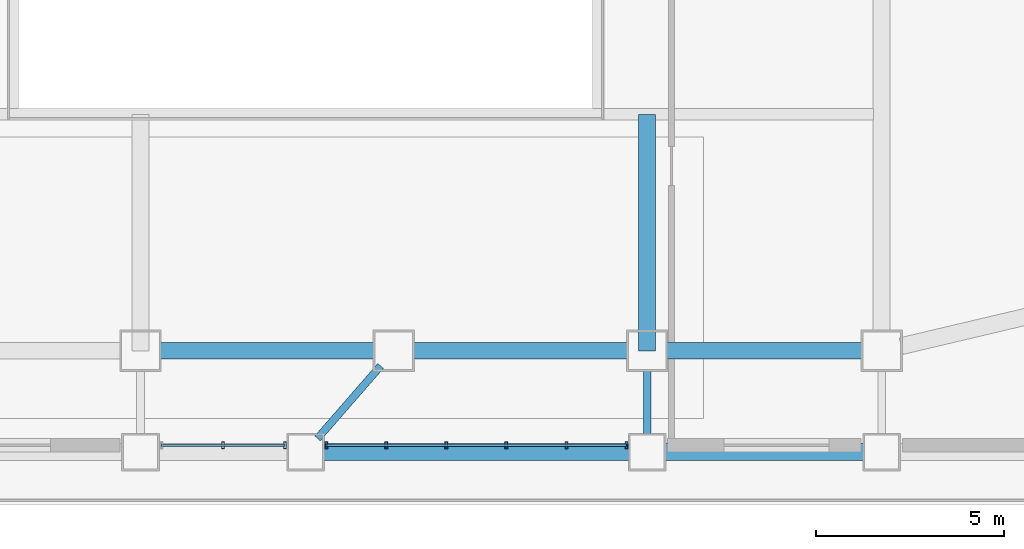
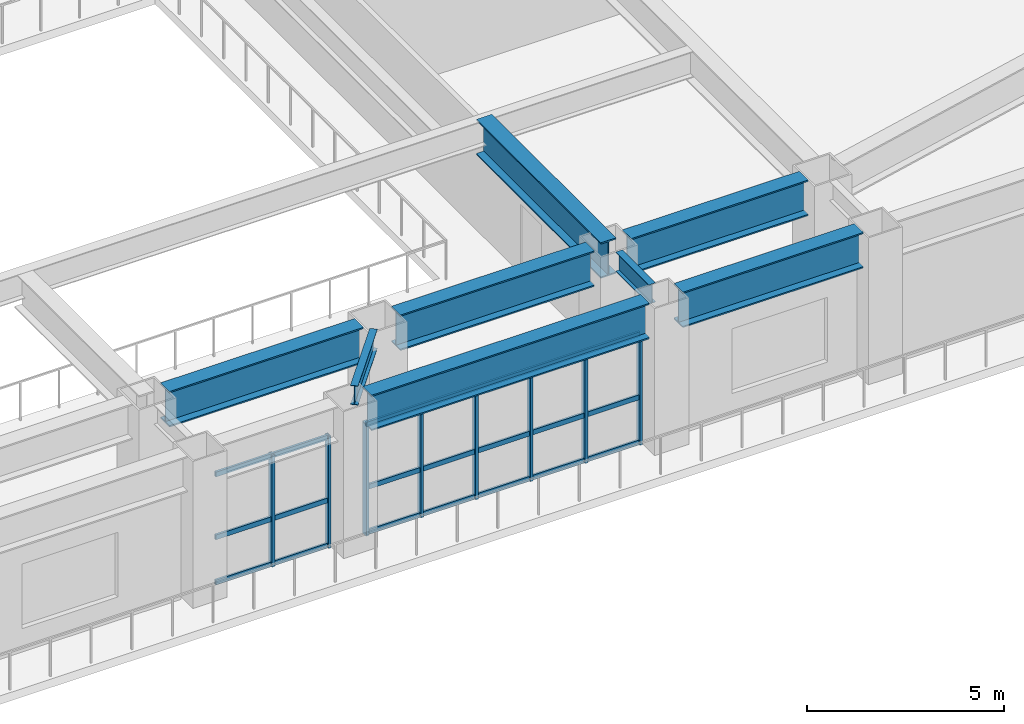
# One storey, part 4 of 14: 14 members, 8 beams, 2 elements without a shape of their own.
"""IFC4 building model written with IfcOpenShell, lengths in metres."""

import ifcopenshell
import ifcopenshell.guid

model = None  # the IFC model being written
_history = None  # IfcOwnerHistory: only IFC2X3 demands one
_inside = {}  # id of a spatial element -> (the spatial element, [elements in it])
_under = {}  # id of a project, library or spatial element -> (it, [spatial elements below it])
_declared = {}  # id of a project -> (the project, [libraries it declares])
_typed = {}  # id of a type object -> (the type object, [elements of that type])
_made_of = {}  # id of a material, layer set ... -> (it, [elements and type objects made of it])


def new_model(schema):
    """Start an empty IFC model of exactly this schema.

    Asked for "IFC4X3", IfcOpenShell would pick the latest addendum, in which some entities
    have other attributes; the version numbers below select the first issue.
    IFC2X3 requires an IfcOwnerHistory on every rooted entity: one is made here for all.
    """
    global model, _history
    if schema == "IFC4X3":
        model = ifcopenshell.file(schema_version=(4, 3, 0, 0))
    else:
        model = ifcopenshell.file(schema=schema)
    _inside.clear()
    _under.clear()
    _declared.clear()
    _typed.clear()
    _made_of.clear()
    _history = None
    if model.schema == "IFC2X3":
        org = make("IfcOrganization", Name="unknown")
        user = make(
            "IfcPersonAndOrganization",
            ThePerson=make("IfcPerson", FamilyName="unknown"),
            TheOrganization=org,
        )
        app = make(
            "IfcApplication",
            ApplicationDeveloper=org,
            Version="unknown",
            ApplicationFullName="unknown",
            ApplicationIdentifier="unknown",
        )
        _history = make(
            "IfcOwnerHistory",
            OwningUser=user,
            OwningApplication=app,
            ChangeAction="ADDED",
            CreationDate=0,
        )
    return model


def make(cls, **values):
    """One entity of the class cls with the attributes given. An attribute that is None is left unset."""
    return model.create_entity(
        cls, **{name: value for name, value in values.items() if value is not None}
    )


def rooted(cls, **values):
    """An entity with a GlobalId (a new one), such as an element, a storey or a relation."""
    return make(cls, GlobalId=ifcopenshell.guid.new(), OwnerHistory=_history, **values)


def si_unit(unit_type, name, prefix=None):
    """IfcSIUnit, for example si_unit("LENGTHUNIT", "METRE", prefix="MILLI")."""
    return make("IfcSIUnit", UnitType=unit_type, Prefix=prefix, Name=name)


def assignment(units):
    """IfcUnitAssignment: the units of a project."""
    return None if units is None else make("IfcUnitAssignment", Units=units)


def point(xyz):
    """IfcCartesianPoint."""
    return None if xyz is None else make("IfcCartesianPoint", Coordinates=xyz)


def direction(xyz):
    """IfcDirection."""
    return None if xyz is None else make("IfcDirection", DirectionRatios=xyz)


def frame(location, z_axis=None, x_axis=None):
    """IfcAxis2Placement3D, a coordinate frame: its origin and axes. An axis left out is left unset."""
    return make(
        "IfcAxis2Placement3D",
        Location=point(location),
        Axis=direction(z_axis),
        RefDirection=direction(x_axis),
    )


def frame_2d(location, x_axis=None):
    """IfcAxis2Placement2D, a coordinate frame in the plane: its origin and x axis."""
    return make(
        "IfcAxis2Placement2D", Location=point(location), RefDirection=direction(x_axis)
    )


def origin():
    """The frame at (0, 0, 0) with its axes left unset."""
    return frame((0.0, 0.0, 0.0))


def origin_2d():
    """The frame at (0, 0) in the plane with its x axis left unset."""
    return frame_2d((0.0, 0.0))


def place(relative_to, where):
    """IfcLocalPlacement: puts the frame where relative to a parent placement (None: the world)."""
    return make(
        "IfcLocalPlacement", PlacementRelTo=relative_to, RelativePlacement=where
    )


def context(
    kind, dimensions, precision=None, world=None, true_north=None, identifier=None
):
    """IfcGeometricRepresentationContext, for example the 3D "Model" context."""
    return make(
        "IfcGeometricRepresentationContext",
        ContextIdentifier=identifier,
        ContextType=kind,
        CoordinateSpaceDimension=dimensions,
        Precision=precision,
        WorldCoordinateSystem=world,
        TrueNorth=true_north,
    )


def subcontext(parent, identifier, kind, view, scale=None):
    """IfcGeometricRepresentationSubContext, for example "Body" below "Model"."""
    return make(
        "IfcGeometricRepresentationSubContext",
        ContextIdentifier=identifier,
        ContextType=kind,
        ParentContext=parent,
        TargetScale=scale,
        TargetView=view,
    )


def project(units=None, contexts=None):
    """IfcProject with its units and contexts."""
    return rooted(
        "IfcProject",
        Name="project",
        RepresentationContexts=contexts,
        UnitsInContext=assignment(units),
    )


def spatial(cls, under=None, at=None, **own):
    """A site, building, storey or space (cls), placed at a placement, below another one or the project."""
    s = rooted(cls, ObjectPlacement=at, **own)
    if under is not None:
        _under.setdefault(under.id(), (under, []))[1].append(s)
    return s


def profile(cls, at=None, kind="AREA", **sizes):
    """A parametric profile (cls). Its sizes go by their IFC names, for example OverallWidth=200.0."""
    return make(cls, ProfileType=kind, Position=at, **sizes)


def hollow_rectangle(**sizes):
    """IfcRectangleHollowProfileDef."""
    return profile("IfcRectangleHollowProfileDef", **sizes)


def i_section(**sizes):
    """IfcIShapeProfileDef."""
    return profile("IfcIShapeProfileDef", **sizes)


def extrude(swept, where, along, depth):
    """IfcExtrudedAreaSolid: the profile swept, set in the frame where, extruded along a direction by depth."""
    return make(
        "IfcExtrudedAreaSolid",
        SweptArea=swept,
        Position=where,
        ExtrudedDirection=direction(along),
        Depth=depth,
    )


def shape(context_of_items, identifier, shape_type, items):
    """IfcShapeRepresentation: the items that make up one representation, for example the "Body"."""
    return make(
        "IfcShapeRepresentation",
        ContextOfItems=context_of_items,
        RepresentationIdentifier=identifier,
        RepresentationType=shape_type,
        Items=items,
    )


def source(mapping_origin, context_of_items, identifier, shape_type, items):
    """IfcRepresentationMap: a shape defined once, which mapped items show again and again."""
    return make(
        "IfcRepresentationMap",
        MappingOrigin=mapping_origin,
        MappedRepresentation=shape(context_of_items, identifier, shape_type, items),
    )


def transform(
    local_origin,
    x_axis=None,
    y_axis=None,
    z_axis=None,
    scale=None,
    scale2=None,
    scale3=None,
    uniform=True,
):
    """IfcCartesianTransformationOperator3D, or its non-uniform kind. x_axis, y_axis, z_axis: its Axis1, 2, 3."""
    if uniform:
        return make(
            "IfcCartesianTransformationOperator3D",
            Axis1=direction(x_axis),
            Axis2=direction(y_axis),
            LocalOrigin=point(local_origin),
            Scale=scale,
            Axis3=direction(z_axis),
        )
    return make(
        "IfcCartesianTransformationOperator3DnonUniform",
        Axis1=direction(x_axis),
        Axis2=direction(y_axis),
        LocalOrigin=point(local_origin),
        Scale=scale,
        Axis3=direction(z_axis),
        Scale2=scale2,
        Scale3=scale3,
    )


def mapped(mapping_source, mapping_target):
    """IfcMappedItem: shows the shape of a source again, moved by a transform."""
    return make(
        "IfcMappedItem", MappingSource=mapping_source, MappingTarget=mapping_target
    )


def material(Name=None, Category=None):
    """IfcMaterial."""
    return make("IfcMaterial", Name=Name, Category=Category)


def layer(
    of_material, thickness, ventilated=None, Name=None, Category=None, Priority=None
):
    """IfcMaterialLayer: one layer of a wall or slab, of a material (None: an air gap)."""
    return make(
        "IfcMaterialLayer",
        Material=of_material,
        LayerThickness=thickness,
        IsVentilated=ventilated,
        Name=Name,
        Category=Category,
        Priority=Priority,
    )


def layer_set(layers, Name=None):
    """IfcMaterialLayerSet."""
    return make("IfcMaterialLayerSet", MaterialLayers=layers, LayerSetName=Name)


def material_profile(
    of_material, cross_section, Name=None, Category=None, Priority=None
):
    """IfcMaterialProfile: a cross section and its material."""
    return make(
        "IfcMaterialProfile",
        Name=Name,
        Material=of_material,
        Profile=cross_section,
        Priority=Priority,
        Category=Category,
    )


def profile_set(profiles, Name=None, composite=None):
    """IfcMaterialProfileSet."""
    return make(
        "IfcMaterialProfileSet",
        Name=Name,
        MaterialProfiles=profiles,
        CompositeProfile=composite,
    )


def made_of(thing, what):
    """Note that an element or type object is made of a material, layer set ...; save() writes the relation."""
    if what is not None:
        _made_of.setdefault(what.id(), (what, []))[1].append(thing)
    return thing


def type_object(cls, material=None, **own):
    """A type object (cls), such as IfcWallType, which elements share."""
    return made_of(rooted(cls, **own), material)


def element(
    cls,
    number,
    at=None,
    inside=None,
    cuts=None,
    type_object=None,
    material=None,
    context=None,
    identifier="Body",
    shape_type=None,
    held_by="IfcProductDefinitionShape",
    body=None,
    shapes=None,
    **own,
):
    """One element of the class cls, such as IfcWall. Its Tag is "e" and its number.

    at: its placement. inside: the storey or other place that contains it. cuts: it is an
    opening in that element (IfcRelVoidsElement). A single representation is given by context,
    identifier, shape_type and body (its items); several are given by shapes. held_by: the class
    of the entity that holds the representations. save() writes the other relations.
    """
    e = rooted(cls, Tag="e%d" % number, ObjectPlacement=at, **own)
    if body is not None:
        shapes = [shape(context, identifier, shape_type, body)]
    if shapes is not None:
        e.Representation = make(held_by, Representations=shapes)
    if inside is not None:
        _inside.setdefault(inside.id(), (inside, []))[1].append(e)
    if cuts is not None:
        rooted(
            "IfcRelVoidsElement", RelatingBuildingElement=cuts, RelatedOpeningElement=e
        )
    if type_object is not None:
        _typed.setdefault(type_object.id(), (type_object, []))[1].append(e)
    return made_of(e, material)


def aggregate(whole, parts):
    """IfcRelAggregates: a whole, such as a stair, and the parts it consists of."""
    return rooted("IfcRelAggregates", RelatingObject=whole, RelatedObjects=parts)


def save(model, path):
    """Write the relations noted so far, then the file.

    IfcRelAggregates (storeys below a building ...), IfcRelContainedInSpatialStructure (elements
    in a storey), IfcRelDefinesByType, IfcRelAssociatesMaterial and IfcRelDeclares: one each for
    every whole, place, type object, material and project.
    """
    for whole, parts in _under.values():
        aggregate(whole, parts)
    for where, things in _inside.values():
        rooted(
            "IfcRelContainedInSpatialStructure",
            RelatedElements=things,
            RelatingStructure=where,
        )
    for kind, things in _typed.values():
        rooted("IfcRelDefinesByType", RelatedObjects=things, RelatingType=kind)
    for what, things in _made_of.values():
        rooted("IfcRelAssociatesMaterial", RelatedObjects=things, RelatingMaterial=what)
    for by, libraries in _declared.values():
        rooted("IfcRelDeclares", RelatingContext=by, RelatedDefinitions=libraries)
    model.write(path)


model = new_model("IFC4")

# Units and contexts
model_context = context("Model", 3, precision=1e-05, world=origin(), true_north=direction((0.0, 1.0)))
body_context = subcontext(model_context, "Body", "Model", "MODEL_VIEW")
ifc_project = project(units=[si_unit("LENGTHUNIT", "METRE"), si_unit("AREAUNIT", "SQUARE_METRE"), si_unit("VOLUMEUNIT", "CUBIC_METRE"), si_unit("PLANEANGLEUNIT", "RADIAN"), si_unit("MASSUNIT", "GRAM", prefix="KILO")], contexts=[model_context])

# Site, building, storey
site_placement = place(None, origin())
site = spatial("IfcSite", under=ifc_project, at=site_placement, CompositionType="ELEMENT")
building_placement = place(site_placement, origin())
building = spatial("IfcBuilding", under=site, at=building_placement, Name="Giltprow Tower", CompositionType="ELEMENT")
storey_placement = place(building_placement, frame((0.0, 0.0, 10.39990234375)))
storey = spatial("IfcBuildingStorey", under=building, at=storey_placement, Name="L03", CompositionType="ELEMENT", Elevation=10.39990234375)

# Beams
ifc_material_1 = material(Name="Structural steel Q420GJC", Category="steel")
ifc_material_profile_1 = material_profile(ifc_material_1, i_section(OverallWidth=0.449951171875, OverallDepth=1.10009765625, WebThickness=0.02587890625, FlangeThickness=0.0419921875, at=origin_2d()), Name="WH 1100x450x26x42")
ifc_profile_set_1 = profile_set([ifc_material_profile_1], Name="Structural steel Q420GJC")
beam_type_1 = type_object("IfcBeamType", Name="BM-GIRD-WH1100", PredefinedType="BEAM", material=ifc_profile_set_1)
shared_shape_1 = source(origin(), body_context, "Body", "SweptSolid", [
    extrude(i_section(OverallWidth=0.449951171875, OverallDepth=1.10009765625, WebThickness=0.02587890625, FlangeThickness=0.0419921875, at=origin_2d()), origin(), (0.0, 0.0, 1.0), 5.679931640625),
])
for number, where, z_axis, x_axis, name in (
    (1, (31.3349609375, 3.300048828125, 3.989990234375), (1.0, 0.0, 0.0), (0.0, 1.0, 0.0), "L03 Tower Base Ring Girder 3"),
    (2, (38.0849609375, 3.300048828125, 3.989990234375), (1.0, 0.0, 0.0), (0.0, 1.0, 0.0), "L03 Tower Base Ring Girder 4"),
):
    element("IfcBeam", number, at=place(storey_placement, frame(where, z_axis=z_axis, x_axis=x_axis)), inside=storey, type_object=beam_type_1, Name=name, PredefinedType="BEAM", context=body_context, shape_type="MappedRepresentation", body=[
        mapped(shared_shape_1, transform((0.0, 0.0, 0.0), x_axis=(1.0, 0.0, 0.0), y_axis=(0.0, 1.0, 0.0), z_axis=(0.0, 0.0, 1.0), scale=1.0)),
    ])
shared_shape_2 = source(origin(), body_context, "Body", "SweptSolid", [
    extrude(i_section(OverallWidth=0.449951171875, OverallDepth=1.10009765625, WebThickness=0.02587890625, FlangeThickness=0.0419921875, at=origin_2d()), origin(), (0.0, 0.0, 1.0), 5.179931640625),
])
beam_1_placement = place(storey_placement, frame((44.8349609375, 3.300048828125, 3.989990234375), z_axis=(1.0, 0.0, 0.0), x_axis=(0.0, 1.0, 0.0)))
element("IfcBeam", 3, at=beam_1_placement, inside=storey, type_object=beam_type_1, Name="L03 Tower Base Ring Girder 5", PredefinedType="BEAM", context=body_context, shape_type="MappedRepresentation", body=[
    mapped(shared_shape_2, transform((0.0, 0.0, 0.0), x_axis=(1.0, 0.0, 0.0), y_axis=(0.0, 1.0, 0.0), z_axis=(0.0, 0.0, 1.0), scale=1.0)),
])
shared_shape_3 = source(origin(), body_context, "Body", "SweptSolid", [
    extrude(i_section(OverallWidth=0.449951171875, OverallDepth=1.10009765625, WebThickness=0.02587890625, FlangeThickness=0.0419921875, at=origin_2d()), origin(), (0.0, 0.0, 1.0), 8.1298828125),
])
beam_2_placement = place(storey_placement, frame((35.68505859375, 0.60009765625, 3.989990234375), z_axis=(1.0, 0.0, 0.0), x_axis=(0.0, 1.0, 0.0)))
element("IfcBeam", 4, at=beam_2_placement, inside=storey, type_object=beam_type_1, Name="L03 Podium South Edge Girder", PredefinedType="BEAM", context=body_context, shape_type="MappedRepresentation", body=[
    mapped(shared_shape_3, transform((0.0, 0.0, 0.0), x_axis=(1.0, 0.0, 0.0), y_axis=(0.0, 1.0, 0.0), z_axis=(0.0, 0.0, 1.0), scale=1.0)),
])
shared_shape_4 = source(origin(), body_context, "Body", "SweptSolid", [
    extrude(i_section(OverallWidth=0.449951171875, OverallDepth=1.10009765625, WebThickness=0.02587890625, FlangeThickness=0.0419921875, at=origin_2d()), origin(), (0.0, 0.0, 1.0), 5.280029296875),
])
beam_3_placement = place(storey_placement, frame((44.784912109375, 0.60009765625, 3.989990234375), z_axis=(1.0, 0.0, 0.0), x_axis=(0.0, 1.0, 0.0)))
element("IfcBeam", 5, at=beam_3_placement, inside=storey, type_object=beam_type_1, Name="L03 Podium South Edge Girder", PredefinedType="BEAM", context=body_context, shape_type="MappedRepresentation", body=[
    mapped(shared_shape_4, transform((0.0, 0.0, 0.0), x_axis=(1.0, 0.0, 0.0), y_axis=(0.0, 1.0, 0.0), z_axis=(0.0, 0.0, 1.0), scale=1.0)),
])
ifc_material_2 = material(Name="Structural steel Q355B", Category="steel")
ifc_material_profile_2 = material_profile(ifc_material_2, i_section(OverallWidth=0.199951171875, OverallDepth=0.60009765625, WebThickness=0.010986328125, FlangeThickness=0.01708984375, at=origin_2d()), Name="HN 600x200x11x17")
ifc_profile_set_2 = profile_set([ifc_material_profile_2], Name="Structural steel Q355B")
beam_type_2 = type_object("IfcBeamType", Name="BM-GIRD-HN600", PredefinedType="BEAM", material=ifc_profile_set_2)
shared_shape_5 = source(origin(), body_context, "Body", "SweptSolid", [
    extrude(i_section(OverallWidth=0.199951171875, OverallDepth=0.60009765625, WebThickness=0.010986328125, FlangeThickness=0.01708984375, at=origin_2d()), origin(), (0.0, 0.0, 1.0), 1.679931640625),
])
beam_4_placement = place(storey_placement, frame((44.300048828125, 1.0849609375, 4.239990234375), z_axis=(0.0, 1.0, 0.0), x_axis=(-1.0, 0.0, 0.0)))
element("IfcBeam", 6, at=beam_4_placement, inside=storey, type_object=beam_type_2, Name="L03 South Perimeter Tie S3", PredefinedType="BEAM", context=body_context, shape_type="MappedRepresentation", body=[
    mapped(shared_shape_5, transform((0.0, 0.0, 0.0), x_axis=(1.0, 0.0, 0.0), y_axis=(0.0, 1.0, 0.0), z_axis=(0.0, 0.0, 1.0), scale=1.0)),
])
shared_shape_6 = source(origin(), body_context, "Body", "SweptSolid", [
    extrude(i_section(OverallWidth=0.449951171875, OverallDepth=1.10009765625, WebThickness=0.02587890625, FlangeThickness=0.0419921875, at=origin_2d()), origin(), (0.0, 0.0, 1.0), 6.300048828125),
])
beam_5_placement = place(storey_placement, frame((44.300048828125, 3.300048828125, 3.989990234375), z_axis=(0.0, 1.0, 0.0), x_axis=(-1.0, 0.0, 0.0)))
element("IfcBeam", 7, at=beam_5_placement, inside=storey, type_object=beam_type_1, Name="L03 Atrium South Girder S3", PredefinedType="BEAM", context=body_context, shape_type="MappedRepresentation", body=[
    mapped(shared_shape_6, transform((0.0, 0.0, 0.0), x_axis=(1.0, 0.0, 0.0), y_axis=(0.0, 1.0, 0.0), z_axis=(0.0, 0.0, 1.0), scale=1.0)),
])
shared_shape_7 = source(origin(), body_context, "Body", "SweptSolid", [
    extrude(i_section(OverallWidth=0.199951171875, OverallDepth=0.60009765625, WebThickness=0.010986328125, FlangeThickness=0.01708984375, at=origin_2d()), origin(), (0.0, 0.0, 1.0), 2.559326171875),
])
beam_6_placement = place(storey_placement, frame((35.51806640625, 0.966064453125, 4.239990234375), z_axis=(0.656780744804, 0.754081595886, 0.0), x_axis=(-0.754081595886, 0.656780744804, 0.0)))
element("IfcBeam", 8, at=beam_6_placement, inside=storey, type_object=beam_type_2, Name="L03 South Mid Tie", PredefinedType="BEAM", context=body_context, shape_type="MappedRepresentation", body=[
    mapped(shared_shape_7, transform((0.0, 0.0, 0.0), x_axis=(1.0, 0.0, 0.0), y_axis=(0.0, 1.0, 0.0), z_axis=(0.0, 0.0, 1.0), scale=1.0)),
])

# Curtain wall, members
ifc_material_3 = material(Name="Anodized bronze", Category="metal")
ifc_layer = layer(ifc_material_3, 0.179931640625, Name="Anodized bronze")
ifc_layer_set = layer_set([ifc_layer], Name="Anodized bronze")
curtain_wall_type = type_object("IfcCurtainWallType", Name="CW-POD-STOREFRONT", PredefinedType="NOTDEFINED", material=ifc_layer_set)
curtain_wall_1_placement = place(storey_placement, origin())
curtain_wall_1 = element("IfcCurtainWall", 9, at=curtain_wall_1_placement, inside=storey, type_object=curtain_wall_type, Name="L03 South Waterfront Storefront 3", PredefinedType="NOTDEFINED")
ifc_material_profile_3 = material_profile(ifc_material_3, hollow_rectangle(XDim=0.06494140625, YDim=0.14990234375, WallThickness=0.006103515625, at=origin_2d()), Name="RHS 150x65x6")
ifc_profile_set_3 = profile_set([ifc_material_profile_3], Name="Anodized bronze")
member_type_1 = type_object("IfcMemberType", Name="CW-TRANSOM-150x65", PredefinedType="USERDEFINED", material=ifc_profile_set_3)
shared_shape_8 = source(origin(), body_context, "Body", "SweptSolid", [
    extrude(hollow_rectangle(XDim=0.06494140625, YDim=0.14990234375, WallThickness=0.006103515625, at=origin_2d()), origin(), (0.0, 0.0, 1.0), 3.2998046875),
])
member_1_placement = place(storey_placement, frame((31.35009765625, 0.780029296875, 0.0400390625), z_axis=(1.0, 0.0, 0.0), x_axis=(0.0, 1.0, 0.0)))
member_1 = element("IfcMember", 10, at=member_1_placement, type_object=member_type_1, Name="L03 South Waterfront Storefront 3 Transom 1", ObjectType="TRANSOM", PredefinedType="USERDEFINED", context=body_context, shape_type="MappedRepresentation", body=[
    mapped(shared_shape_8, transform((0.0, 0.0, 0.0), x_axis=(1.0, 0.0, 0.0), y_axis=(0.0, 1.0, 0.0), z_axis=(0.0, 0.0, 1.0), scale=1.0)),
])
member_2_placement = place(storey_placement, frame((31.35009765625, 0.780029296875, 1.43603515625), z_axis=(1.0, 0.0, 0.0), x_axis=(0.0, 1.0, 0.0)))
member_2 = element("IfcMember", 11, at=member_2_placement, type_object=member_type_1, Name="L03 South Waterfront Storefront 3 Transom 2", ObjectType="TRANSOM", PredefinedType="USERDEFINED", context=body_context, shape_type="MappedRepresentation", body=[
    mapped(shared_shape_8, transform((0.0, 0.0, 0.0), x_axis=(1.0, 0.0, 0.0), y_axis=(0.0, 1.0, 0.0), z_axis=(0.0, 0.0, 1.0), scale=1.0)),
])
member_3_placement = place(storey_placement, frame((31.35009765625, 0.780029296875, 3.380126953125), z_axis=(1.0, 0.0, 0.0), x_axis=(0.0, 1.0, 0.0)))
member_3 = element("IfcMember", 12, at=member_3_placement, type_object=member_type_1, Name="L03 South Waterfront Storefront 3 Transom 3", ObjectType="TRANSOM", PredefinedType="USERDEFINED", context=body_context, shape_type="MappedRepresentation", body=[
    mapped(shared_shape_8, transform((0.0, 0.0, 0.0), x_axis=(1.0, 0.0, 0.0), y_axis=(0.0, 1.0, 0.0), z_axis=(0.0, 0.0, 1.0), scale=1.0)),
])

curtain_wall_2_placement = place(storey_placement, origin())
curtain_wall_2 = element("IfcCurtainWall", 13, at=curtain_wall_2_placement, inside=storey, type_object=curtain_wall_type, Name="L03 South Waterfront Storefront 4", PredefinedType="NOTDEFINED")
shared_shape_9 = source(origin(), body_context, "Body", "SweptSolid", [
    extrude(hollow_rectangle(XDim=0.06494140625, YDim=0.14990234375, WallThickness=0.006103515625, at=origin_2d()), origin(), (0.0, 0.0, 1.0), 8.0),
])
member_4_placement = place(storey_placement, frame((35.75, 0.780029296875, 0.0400390625), z_axis=(1.0, 0.0, 0.0), x_axis=(0.0, 1.0, 0.0)))
member_4 = element("IfcMember", 14, at=member_4_placement, type_object=member_type_1, Name="L03 South Waterfront Storefront 4 Transom 1", ObjectType="TRANSOM", PredefinedType="USERDEFINED", context=body_context, shape_type="MappedRepresentation", body=[
    mapped(shared_shape_9, transform((0.0, 0.0, 0.0), x_axis=(1.0, 0.0, 0.0), y_axis=(0.0, 1.0, 0.0), z_axis=(0.0, 0.0, 1.0), scale=1.0)),
])
member_5_placement = place(storey_placement, frame((35.75, 0.780029296875, 1.43603515625), z_axis=(1.0, 0.0, 0.0), x_axis=(0.0, 1.0, 0.0)))
member_5 = element("IfcMember", 15, at=member_5_placement, type_object=member_type_1, Name="L03 South Waterfront Storefront 4 Transom 2", ObjectType="TRANSOM", PredefinedType="USERDEFINED", context=body_context, shape_type="MappedRepresentation", body=[
    mapped(shared_shape_9, transform((0.0, 0.0, 0.0), x_axis=(1.0, 0.0, 0.0), y_axis=(0.0, 1.0, 0.0), z_axis=(0.0, 0.0, 1.0), scale=1.0)),
])
member_6_placement = place(storey_placement, frame((35.75, 0.780029296875, 3.380126953125), z_axis=(1.0, 0.0, 0.0), x_axis=(0.0, 1.0, 0.0)))
member_6 = element("IfcMember", 16, at=member_6_placement, type_object=member_type_1, Name="L03 South Waterfront Storefront 4 Transom 3", ObjectType="TRANSOM", PredefinedType="USERDEFINED", context=body_context, shape_type="MappedRepresentation", body=[
    mapped(shared_shape_9, transform((0.0, 0.0, 0.0), x_axis=(1.0, 0.0, 0.0), y_axis=(0.0, 1.0, 0.0), z_axis=(0.0, 0.0, 1.0), scale=1.0)),
])

# Member
ifc_material_profile_4 = material_profile(ifc_material_3, hollow_rectangle(XDim=0.074951171875, YDim=0.179931640625, WallThickness=0.008056640625, at=origin_2d()), Name="RHS 180x75x8")
ifc_profile_set_4 = profile_set([ifc_material_profile_4], Name="Anodized bronze")
member_type_2 = type_object("IfcMemberType", Name="CW-MULLION-180x75", PredefinedType="MULLION", material=ifc_profile_set_4)
shared_shape_10 = source(origin(), body_context, "Body", "SweptSolid", [
    extrude(hollow_rectangle(XDim=0.074951171875, YDim=0.179931640625, WallThickness=0.008056640625, at=origin_2d()), origin(), (0.0, 0.0, 1.0), 3.460205078125),
])
member_7_placement = place(storey_placement, frame((33.0, 0.780029296875, -0.02001953125), z_axis=(0.0, 0.0, 1.0), x_axis=(1.0, 0.0, 0.0)))
member_7 = element("IfcMember", 17, at=member_7_placement, type_object=member_type_2, Name="L03 South Waterfront Storefront 3 Mullion 2", PredefinedType="MULLION", context=body_context, shape_type="MappedRepresentation", body=[
    mapped(shared_shape_10, transform((0.0, 0.0, 0.0), x_axis=(1.0, 0.0, 0.0), y_axis=(0.0, 1.0, 0.0), z_axis=(0.0, 0.0, 1.0), scale=1.0)),
])

member_8_placement = place(storey_placement, frame((34.64990234375, 0.780029296875, -0.02001953125), z_axis=(0.0, 0.0, 1.0), x_axis=(1.0, 0.0, 0.0)))
member_8 = element("IfcMember", 18, at=member_8_placement, type_object=member_type_2, Name="L03 South Waterfront Storefront 3 Mullion 3", PredefinedType="MULLION", context=body_context, shape_type="MappedRepresentation", body=[
    mapped(shared_shape_10, transform((0.0, 0.0, 0.0), x_axis=(1.0, 0.0, 0.0), y_axis=(0.0, 1.0, 0.0), z_axis=(0.0, 0.0, 1.0), scale=1.0)),
])

aggregate(curtain_wall_1, [member_7, member_8, member_1, member_2, member_3])

member_9_placement = place(storey_placement, frame((35.75, 0.780029296875, -0.02001953125), z_axis=(0.0, 0.0, 1.0), x_axis=(1.0, 0.0, 0.0)))
member_9 = element("IfcMember", 19, at=member_9_placement, type_object=member_type_2, Name="L03 South Waterfront Storefront 4 Mullion 1", PredefinedType="MULLION", context=body_context, shape_type="MappedRepresentation", body=[
    mapped(shared_shape_10, transform((0.0, 0.0, 0.0), x_axis=(1.0, 0.0, 0.0), y_axis=(0.0, 1.0, 0.0), z_axis=(0.0, 0.0, 1.0), scale=1.0)),
])

member_10_placement = place(storey_placement, frame((37.35009765625, 0.780029296875, -0.02001953125), z_axis=(0.0, 0.0, 1.0), x_axis=(1.0, 0.0, 0.0)))
member_10 = element("IfcMember", 20, at=member_10_placement, type_object=member_type_2, Name="L03 South Waterfront Storefront 4 Mullion 2", PredefinedType="MULLION", context=body_context, shape_type="MappedRepresentation", body=[
    mapped(shared_shape_10, transform((0.0, 0.0, 0.0), x_axis=(1.0, 0.0, 0.0), y_axis=(0.0, 1.0, 0.0), z_axis=(0.0, 0.0, 1.0), scale=1.0)),
])

member_11_placement = place(storey_placement, frame((38.949951171875, 0.780029296875, -0.02001953125), z_axis=(0.0, 0.0, 1.0), x_axis=(1.0, 0.0, 0.0)))
member_11 = element("IfcMember", 21, at=member_11_placement, type_object=member_type_2, Name="L03 South Waterfront Storefront 4 Mullion 3", PredefinedType="MULLION", context=body_context, shape_type="MappedRepresentation", body=[
    mapped(shared_shape_10, transform((0.0, 0.0, 0.0), x_axis=(1.0, 0.0, 0.0), y_axis=(0.0, 1.0, 0.0), z_axis=(0.0, 0.0, 1.0), scale=1.0)),
])

member_12_placement = place(storey_placement, frame((40.550048828125, 0.780029296875, -0.02001953125), z_axis=(0.0, 0.0, 1.0), x_axis=(1.0, 0.0, 0.0)))
member_12 = element("IfcMember", 22, at=member_12_placement, type_object=member_type_2, Name="L03 South Waterfront Storefront 4 Mullion 4", PredefinedType="MULLION", context=body_context, shape_type="MappedRepresentation", body=[
    mapped(shared_shape_10, transform((0.0, 0.0, 0.0), x_axis=(1.0, 0.0, 0.0), y_axis=(0.0, 1.0, 0.0), z_axis=(0.0, 0.0, 1.0), scale=1.0)),
])

member_13_placement = place(storey_placement, frame((42.14990234375, 0.780029296875, -0.02001953125), z_axis=(0.0, 0.0, 1.0), x_axis=(1.0, 0.0, 0.0)))
member_13 = element("IfcMember", 23, at=member_13_placement, type_object=member_type_2, Name="L03 South Waterfront Storefront 4 Mullion 5", PredefinedType="MULLION", context=body_context, shape_type="MappedRepresentation", body=[
    mapped(shared_shape_10, transform((0.0, 0.0, 0.0), x_axis=(1.0, 0.0, 0.0), y_axis=(0.0, 1.0, 0.0), z_axis=(0.0, 0.0, 1.0), scale=1.0)),
])

member_14_placement = place(storey_placement, frame((43.75, 0.780029296875, -0.02001953125), z_axis=(0.0, 0.0, 1.0), x_axis=(1.0, 0.0, 0.0)))
member_14 = element("IfcMember", 24, at=member_14_placement, type_object=member_type_2, Name="L03 South Waterfront Storefront 4 Mullion 6", PredefinedType="MULLION", context=body_context, shape_type="MappedRepresentation", body=[
    mapped(shared_shape_10, transform((0.0, 0.0, 0.0), x_axis=(1.0, 0.0, 0.0), y_axis=(0.0, 1.0, 0.0), z_axis=(0.0, 0.0, 1.0), scale=1.0)),
])

aggregate(curtain_wall_2, [member_9, member_10, member_11, member_12, member_13, member_14, member_4, member_5, member_6])

save(model, "model.ifc")
